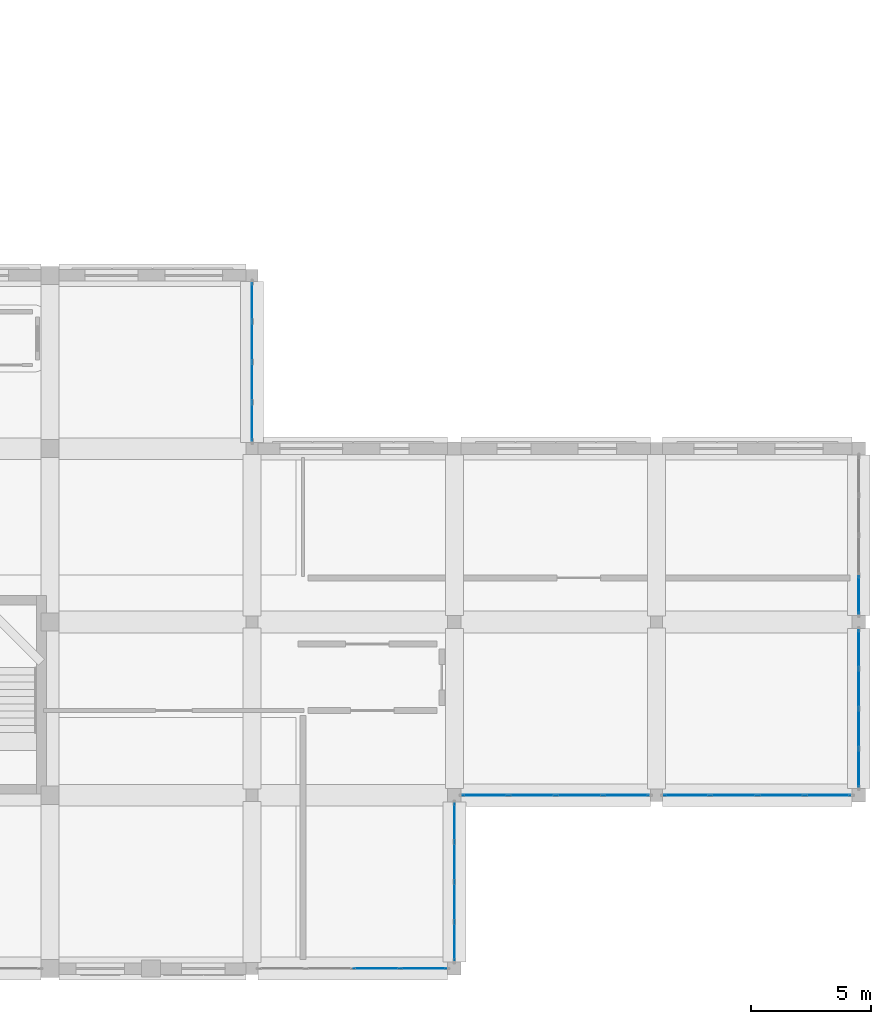
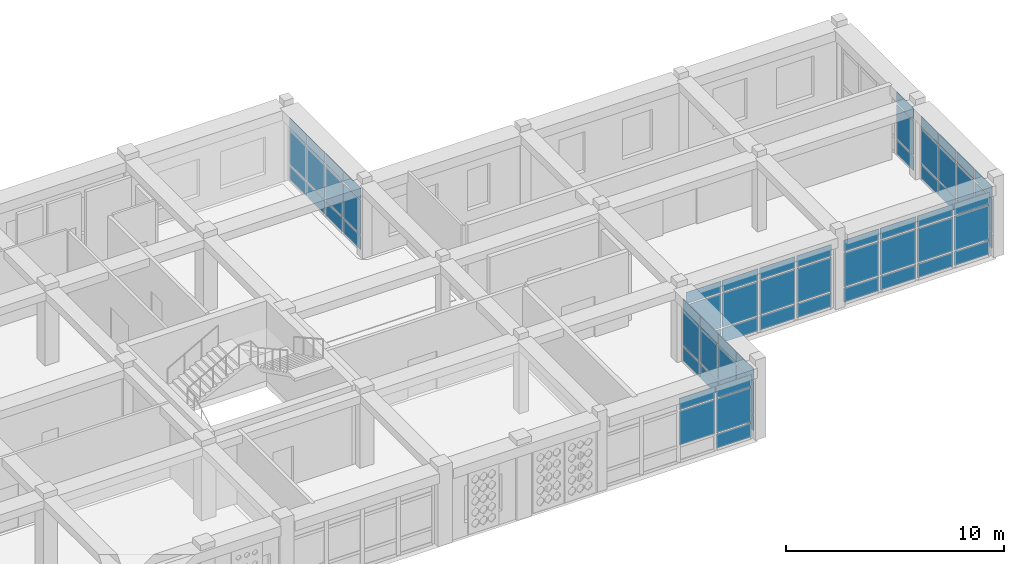
# One storey, part 69 of 121: 68 plates, 7 elements without a shape of their own.
"""IFC4 building model written with IfcOpenShell, lengths in metres."""

from ifc_helpers import new_model, si_unit, derived_unit, direction, frame, origin, origin_2d, place, context, subcontext, project, spatial, rectangle, extrude, material, layer, layer_set, type_object, element, aggregate, save


model = new_model("IFC4")

# Units and contexts
model_context = context("Model", 3, precision=1e-05, world=origin(), true_north=direction((0.0, 1.0)))
body_context = subcontext(model_context, "Body", "Model", "MODEL_VIEW")
ifc_project = project(units=[si_unit("LENGTHUNIT", "METRE"), si_unit("AREAUNIT", "SQUARE_METRE"), si_unit("VOLUMEUNIT", "CUBIC_METRE"), si_unit("PLANEANGLEUNIT", "RADIAN"), si_unit("MASSUNIT", "GRAM", prefix="KILO"), derived_unit("THERMALTRANSMITTANCEUNIT", [(si_unit("POWERUNIT", "WATT"), 1), (si_unit("LENGTHUNIT", "METRE"), -2), (si_unit("THERMODYNAMICTEMPERATUREUNIT", "KELVIN"), -1)])], contexts=[model_context])

# Site, building, storey
site_placement = place(None, origin())
site = spatial("IfcSite", under=ifc_project, at=site_placement, CompositionType="ELEMENT")
building_placement = place(site_placement, origin())
building = spatial("IfcBuilding", under=site, at=building_placement, Name="Veybourne Emporium", CompositionType="ELEMENT")
storey_placement = place(building_placement, frame((0.0, 0.0, 5.39990234375)))
storey = spatial("IfcBuildingStorey", under=building, at=storey_placement, Name="L01", CompositionType="ELEMENT", Elevation=5.39990234375)

# Curtain wall, plates
ifc_material_1 = material(Name="Patinated Architectural Bronze", Category="bronze")
curtain_wall_type_1 = type_object("IfcCurtainWallType", Name="CWSystem_CWS-27", PredefinedType="NOTDEFINED", material=ifc_material_1)
curtain_wall_1_placement = place(storey_placement, origin())
curtain_wall_1 = element("IfcCurtainWall", 1, at=curtain_wall_1_placement, inside=storey, type_object=curtain_wall_type_1, Name="L01 bronze glazed curtain wall CWS-27 (070)", PredefinedType="NOTDEFINED")
ifc_material_2 = material(Name="Low-E Triple Glazing", Category="glass")
ifc_layer = layer(ifc_material_2, 0.028076171875)
ifc_layer_set = layer_set([ifc_layer], Name="Low-E Triple Glazing")
plate_type = type_object("IfcPlateType", Name="CWPanel_CW-P1", PredefinedType="CURTAIN_PANEL", material=ifc_layer_set)
plate_1_placement = place(storey_placement, frame((142.800048828125, 27.693115234375, 0.078125), z_axis=(0.0, 0.0, 1.0), x_axis=(0.0, -1.0, 0.0)))
plate_1 = element("IfcPlate", 2, at=plate_1_placement, type_object=plate_type, Name="CWS-27 panel 1.1", PredefinedType="CURTAIN_PANEL", context=body_context, shape_type="SweptSolid", body=[
    extrude(rectangle(XDim=1.55810546875, YDim=0.028076171875, at=origin_2d()), origin(), (0.0, 0.0, 1.0), 0.782958984375),
])
plate_2_placement = place(storey_placement, frame((142.800048828125, 27.693115234375, 0.93896484375), z_axis=(0.0, 0.0, 1.0), x_axis=(0.0, -1.0, 0.0)))
plate_2 = element("IfcPlate", 3, at=plate_2_placement, type_object=plate_type, Name="CWS-27 panel 1.2", PredefinedType="CURTAIN_PANEL", context=body_context, shape_type="SweptSolid", body=[
    extrude(rectangle(XDim=1.55810546875, YDim=0.028076171875, at=origin_2d()), origin(), (0.0, 0.0, 1.0), 1.902099609375),
])
plate_3_placement = place(storey_placement, frame((142.800048828125, 27.693115234375, 2.9189453125), z_axis=(0.0, 0.0, 1.0), x_axis=(0.0, -1.0, 0.0)))
plate_3 = element("IfcPlate", 4, at=plate_3_placement, type_object=plate_type, Name="CWS-27 panel 1.3", PredefinedType="CURTAIN_PANEL", context=body_context, shape_type="SweptSolid", body=[
    extrude(rectangle(XDim=1.55810546875, YDim=0.028076171875, at=origin_2d()), origin(), (0.0, 0.0, 1.0), 0.633056640625),
])
plate_4_placement = place(storey_placement, frame((142.800048828125, 26.03759765625, 0.078125), z_axis=(0.0, 0.0, 1.0), x_axis=(0.0, -1.0, 0.0)))
plate_4 = element("IfcPlate", 5, at=plate_4_placement, type_object=plate_type, Name="CWS-27 panel 2.1", PredefinedType="CURTAIN_PANEL", context=body_context, shape_type="SweptSolid", body=[
    extrude(rectangle(XDim=1.596923828125, YDim=0.028076171875, at=origin_2d()), origin(), (0.0, 0.0, 1.0), 0.782958984375),
])
plate_5_placement = place(storey_placement, frame((142.800048828125, 26.03759765625, 0.93896484375), z_axis=(0.0, 0.0, 1.0), x_axis=(0.0, -1.0, 0.0)))
plate_5 = element("IfcPlate", 6, at=plate_5_placement, type_object=plate_type, Name="CWS-27 panel 2.2", PredefinedType="CURTAIN_PANEL", context=body_context, shape_type="SweptSolid", body=[
    extrude(rectangle(XDim=1.596923828125, YDim=0.028076171875, at=origin_2d()), origin(), (0.0, 0.0, 1.0), 1.902099609375),
])
plate_6_placement = place(storey_placement, frame((142.800048828125, 26.03759765625, 2.9189453125), z_axis=(0.0, 0.0, 1.0), x_axis=(0.0, -1.0, 0.0)))
plate_6 = element("IfcPlate", 7, at=plate_6_placement, type_object=plate_type, Name="CWS-27 panel 2.3", PredefinedType="CURTAIN_PANEL", context=body_context, shape_type="SweptSolid", body=[
    extrude(rectangle(XDim=1.596923828125, YDim=0.028076171875, at=origin_2d()), origin(), (0.0, 0.0, 1.0), 0.633056640625),
])
plate_7_placement = place(storey_placement, frame((142.800048828125, 24.362548828125, 0.078125), z_axis=(0.0, 0.0, 1.0), x_axis=(0.0, -1.0, 0.0)))
plate_7 = element("IfcPlate", 8, at=plate_7_placement, type_object=plate_type, Name="CWS-27 panel 3.1", PredefinedType="CURTAIN_PANEL", context=body_context, shape_type="SweptSolid", body=[
    extrude(rectangle(XDim=1.596923828125, YDim=0.028076171875, at=origin_2d()), origin(), (0.0, 0.0, 1.0), 0.782958984375),
])
plate_8_placement = place(storey_placement, frame((142.800048828125, 24.362548828125, 0.93896484375), z_axis=(0.0, 0.0, 1.0), x_axis=(0.0, -1.0, 0.0)))
plate_8 = element("IfcPlate", 9, at=plate_8_placement, type_object=plate_type, Name="CWS-27 panel 3.2", PredefinedType="CURTAIN_PANEL", context=body_context, shape_type="SweptSolid", body=[
    extrude(rectangle(XDim=1.596923828125, YDim=0.028076171875, at=origin_2d()), origin(), (0.0, 0.0, 1.0), 1.902099609375),
])
plate_9_placement = place(storey_placement, frame((142.800048828125, 24.362548828125, 2.9189453125), z_axis=(0.0, 0.0, 1.0), x_axis=(0.0, -1.0, 0.0)))
plate_9 = element("IfcPlate", 10, at=plate_9_placement, type_object=plate_type, Name="CWS-27 panel 3.3", PredefinedType="CURTAIN_PANEL", context=body_context, shape_type="SweptSolid", body=[
    extrude(rectangle(XDim=1.596923828125, YDim=0.028076171875, at=origin_2d()), origin(), (0.0, 0.0, 1.0), 0.633056640625),
])
plate_10_placement = place(storey_placement, frame((142.800048828125, 22.70703125, 0.078125), z_axis=(0.0, 0.0, 1.0), x_axis=(0.0, -1.0, 0.0)))
plate_10 = element("IfcPlate", 11, at=plate_10_placement, type_object=plate_type, Name="CWS-27 panel 4.1", PredefinedType="CURTAIN_PANEL", context=body_context, shape_type="SweptSolid", body=[
    extrude(rectangle(XDim=1.55810546875, YDim=0.028076171875, at=origin_2d()), origin(), (0.0, 0.0, 1.0), 0.782958984375),
])
plate_11_placement = place(storey_placement, frame((142.800048828125, 22.70703125, 0.93896484375), z_axis=(0.0, 0.0, 1.0), x_axis=(0.0, -1.0, 0.0)))
plate_11 = element("IfcPlate", 12, at=plate_11_placement, type_object=plate_type, Name="CWS-27 panel 4.2", PredefinedType="CURTAIN_PANEL", context=body_context, shape_type="SweptSolid", body=[
    extrude(rectangle(XDim=1.55810546875, YDim=0.028076171875, at=origin_2d()), origin(), (0.0, 0.0, 1.0), 1.902099609375),
])
plate_12_placement = place(storey_placement, frame((142.800048828125, 22.70703125, 2.9189453125), z_axis=(0.0, 0.0, 1.0), x_axis=(0.0, -1.0, 0.0)))
plate_12 = element("IfcPlate", 13, at=plate_12_placement, type_object=plate_type, Name="CWS-27 panel 4.3", PredefinedType="CURTAIN_PANEL", context=body_context, shape_type="SweptSolid", body=[
    extrude(rectangle(XDim=1.55810546875, YDim=0.028076171875, at=origin_2d()), origin(), (0.0, 0.0, 1.0), 0.633056640625),
])
aggregate(curtain_wall_1, [plate_1, plate_2, plate_3, plate_4, plate_5, plate_6, plate_7, plate_8, plate_9, plate_10, plate_11, plate_12])

curtain_wall_type_2 = type_object("IfcCurtainWallType", Name="CWSystem_CWS-28", PredefinedType="NOTDEFINED", material=ifc_material_1)
curtain_wall_2_placement = place(storey_placement, origin())
curtain_wall_2 = element("IfcCurtainWall", 14, at=curtain_wall_2_placement, inside=storey, type_object=curtain_wall_type_2, Name="L01 bronze glazed curtain wall CWS-28 (072)", PredefinedType="NOTDEFINED")
plate_13_placement = place(storey_placement, frame((149.923095703125, 0.0, 0.070068359375), z_axis=(0.0, 0.0, 1.0), x_axis=(-1.0, 0.0, 0.0)))
plate_13 = element("IfcPlate", 15, at=plate_13_placement, type_object=plate_type, Name="CWS-28 panel 1.1", PredefinedType="CURTAIN_PANEL", context=body_context, shape_type="SweptSolid", body=[
    extrude(rectangle(XDim=1.86376953125, YDim=0.028076171875, at=origin_2d()), origin(), (0.0, 0.0, 1.0), 0.794921875),
])
plate_14_placement = place(storey_placement, frame((149.923095703125, 0.0, 0.93505859375), z_axis=(0.0, 0.0, 1.0), x_axis=(-1.0, 0.0, 0.0)))
plate_14 = element("IfcPlate", 16, at=plate_14_placement, type_object=plate_type, Name="CWS-28 panel 1.2", PredefinedType="CURTAIN_PANEL", context=body_context, shape_type="SweptSolid", body=[
    extrude(rectangle(XDim=1.86376953125, YDim=0.028076171875, at=origin_2d()), origin(), (0.0, 0.0, 1.0), 1.909912109375),
])
plate_15_placement = place(storey_placement, frame((149.923095703125, 0.0, 2.9150390625), z_axis=(0.0, 0.0, 1.0), x_axis=(-1.0, 0.0, 0.0)))
plate_15 = element("IfcPlate", 17, at=plate_15_placement, type_object=plate_type, Name="CWS-28 panel 1.3", PredefinedType="CURTAIN_PANEL", context=body_context, shape_type="SweptSolid", body=[
    extrude(rectangle(XDim=1.86376953125, YDim=0.028076171875, at=origin_2d()), origin(), (0.0, 0.0, 1.0), 0.64501953125),
])
plate_16_placement = place(storey_placement, frame((147.971923828125, 0.0, 0.93505859375), z_axis=(0.0, 0.0, 1.0), x_axis=(-1.0, 0.0, 0.0)))
plate_16 = element("IfcPlate", 18, at=plate_16_placement, type_object=plate_type, Name="CWS-28 panel 2.2", PredefinedType="CURTAIN_PANEL", context=body_context, shape_type="SweptSolid", body=[
    extrude(rectangle(XDim=1.898681640625, YDim=0.028076171875, at=origin_2d()), origin(), (0.0, 0.0, 1.0), 1.909912109375),
])
plate_17_placement = place(storey_placement, frame((147.971923828125, 0.0, 2.9150390625), z_axis=(0.0, 0.0, 1.0), x_axis=(-1.0, 0.0, 0.0)))
plate_17 = element("IfcPlate", 19, at=plate_17_placement, type_object=plate_type, Name="CWS-28 panel 2.3", PredefinedType="CURTAIN_PANEL", context=body_context, shape_type="SweptSolid", body=[
    extrude(rectangle(XDim=1.898681640625, YDim=0.028076171875, at=origin_2d()), origin(), (0.0, 0.0, 1.0), 0.64501953125),
])
aggregate(curtain_wall_2, [plate_13, plate_14, plate_15, plate_16, plate_17])

curtain_wall_type_3 = type_object("IfcCurtainWallType", Name="CWSystem_CWS-01", PredefinedType="NOTDEFINED", material=ifc_material_1)
curtain_wall_3_placement = place(storey_placement, origin())
curtain_wall_3 = element("IfcCurtainWall", 20, at=curtain_wall_3_placement, inside=storey, type_object=curtain_wall_type_3, Name="L01 bronze glazed curtain wall CWS-01 (073)", PredefinedType="NOTDEFINED")
plate_18_placement = place(storey_placement, frame((151.199951171875, 6.07568359375, 0.072021484375), z_axis=(0.0, 0.0, 1.0), x_axis=(0.0, -1.0, 0.0)))
plate_18 = element("IfcPlate", 21, at=plate_18_placement, type_object=plate_type, Name="CWS-01 panel 1.1", PredefinedType="CURTAIN_PANEL", context=body_context, shape_type="SweptSolid", body=[
    extrude(rectangle(XDim=1.554443359375, YDim=0.028076171875, at=origin_2d()), origin(), (0.0, 0.0, 1.0), 0.7919921875),
])
plate_19_placement = place(storey_placement, frame((151.199951171875, 6.07568359375, 0.93603515625), z_axis=(0.0, 0.0, 1.0), x_axis=(0.0, -1.0, 0.0)))
plate_19 = element("IfcPlate", 22, at=plate_19_placement, type_object=plate_type, Name="CWS-01 panel 1.2", PredefinedType="CURTAIN_PANEL", context=body_context, shape_type="SweptSolid", body=[
    extrude(rectangle(XDim=1.554443359375, YDim=0.028076171875, at=origin_2d()), origin(), (0.0, 0.0, 1.0), 1.907958984375),
])
plate_20_placement = place(storey_placement, frame((151.199951171875, 6.07568359375, 2.916015625), z_axis=(0.0, 0.0, 1.0), x_axis=(0.0, -1.0, 0.0)))
plate_20 = element("IfcPlate", 23, at=plate_20_placement, type_object=plate_type, Name="CWS-01 panel 1.3", PredefinedType="CURTAIN_PANEL", context=body_context, shape_type="SweptSolid", body=[
    extrude(rectangle(XDim=1.554443359375, YDim=0.028076171875, at=origin_2d()), origin(), (0.0, 0.0, 1.0), 0.64208984375),
])
plate_21_placement = place(storey_placement, frame((151.199951171875, 4.43115234375, 0.072021484375), z_axis=(0.0, 0.0, 1.0), x_axis=(0.0, -1.0, 0.0)))
plate_21 = element("IfcPlate", 24, at=plate_21_placement, type_object=plate_type, Name="CWS-01 panel 2.1", PredefinedType="CURTAIN_PANEL", context=body_context, shape_type="SweptSolid", body=[
    extrude(rectangle(XDim=1.590576171875, YDim=0.028076171875, at=origin_2d()), origin(), (0.0, 0.0, 1.0), 0.7919921875),
])
plate_22_placement = place(storey_placement, frame((151.199951171875, 4.43115234375, 0.93603515625), z_axis=(0.0, 0.0, 1.0), x_axis=(0.0, -1.0, 0.0)))
plate_22 = element("IfcPlate", 25, at=plate_22_placement, type_object=plate_type, Name="CWS-01 panel 2.2", PredefinedType="CURTAIN_PANEL", context=body_context, shape_type="SweptSolid", body=[
    extrude(rectangle(XDim=1.590576171875, YDim=0.028076171875, at=origin_2d()), origin(), (0.0, 0.0, 1.0), 1.907958984375),
])
plate_23_placement = place(storey_placement, frame((151.199951171875, 4.43115234375, 2.916015625), z_axis=(0.0, 0.0, 1.0), x_axis=(0.0, -1.0, 0.0)))
plate_23 = element("IfcPlate", 26, at=plate_23_placement, type_object=plate_type, Name="CWS-01 panel 2.3", PredefinedType="CURTAIN_PANEL", context=body_context, shape_type="SweptSolid", body=[
    extrude(rectangle(XDim=1.590576171875, YDim=0.028076171875, at=origin_2d()), origin(), (0.0, 0.0, 1.0), 0.64208984375),
])
plate_24_placement = place(storey_placement, frame((151.199951171875, 2.768798828125, 0.072021484375), z_axis=(0.0, 0.0, 1.0), x_axis=(0.0, -1.0, 0.0)))
plate_24 = element("IfcPlate", 27, at=plate_24_placement, type_object=plate_type, Name="CWS-01 panel 3.1", PredefinedType="CURTAIN_PANEL", context=body_context, shape_type="SweptSolid", body=[
    extrude(rectangle(XDim=1.590576171875, YDim=0.028076171875, at=origin_2d()), origin(), (0.0, 0.0, 1.0), 0.7919921875),
])
plate_25_placement = place(storey_placement, frame((151.199951171875, 2.768798828125, 0.93603515625), z_axis=(0.0, 0.0, 1.0), x_axis=(0.0, -1.0, 0.0)))
plate_25 = element("IfcPlate", 28, at=plate_25_placement, type_object=plate_type, Name="CWS-01 panel 3.2", PredefinedType="CURTAIN_PANEL", context=body_context, shape_type="SweptSolid", body=[
    extrude(rectangle(XDim=1.590576171875, YDim=0.028076171875, at=origin_2d()), origin(), (0.0, 0.0, 1.0), 1.907958984375),
])
plate_26_placement = place(storey_placement, frame((151.199951171875, 2.768798828125, 2.916015625), z_axis=(0.0, 0.0, 1.0), x_axis=(0.0, -1.0, 0.0)))
plate_26 = element("IfcPlate", 29, at=plate_26_placement, type_object=plate_type, Name="CWS-01 panel 3.3", PredefinedType="CURTAIN_PANEL", context=body_context, shape_type="SweptSolid", body=[
    extrude(rectangle(XDim=1.590576171875, YDim=0.028076171875, at=origin_2d()), origin(), (0.0, 0.0, 1.0), 0.64208984375),
])
plate_27_placement = place(storey_placement, frame((151.199951171875, 1.124267578125, 0.072021484375), z_axis=(0.0, 0.0, 1.0), x_axis=(0.0, -1.0, 0.0)))
plate_27 = element("IfcPlate", 30, at=plate_27_placement, type_object=plate_type, Name="CWS-01 panel 4.1", PredefinedType="CURTAIN_PANEL", context=body_context, shape_type="SweptSolid", body=[
    extrude(rectangle(XDim=1.554443359375, YDim=0.028076171875, at=origin_2d()), origin(), (0.0, 0.0, 1.0), 0.7919921875),
])
plate_28_placement = place(storey_placement, frame((151.199951171875, 1.124267578125, 0.93603515625), z_axis=(0.0, 0.0, 1.0), x_axis=(0.0, -1.0, 0.0)))
plate_28 = element("IfcPlate", 31, at=plate_28_placement, type_object=plate_type, Name="CWS-01 panel 4.2", PredefinedType="CURTAIN_PANEL", context=body_context, shape_type="SweptSolid", body=[
    extrude(rectangle(XDim=1.554443359375, YDim=0.028076171875, at=origin_2d()), origin(), (0.0, 0.0, 1.0), 1.907958984375),
])
plate_29_placement = place(storey_placement, frame((151.199951171875, 1.124267578125, 2.916015625), z_axis=(0.0, 0.0, 1.0), x_axis=(0.0, -1.0, 0.0)))
plate_29 = element("IfcPlate", 32, at=plate_29_placement, type_object=plate_type, Name="CWS-01 panel 4.3", PredefinedType="CURTAIN_PANEL", context=body_context, shape_type="SweptSolid", body=[
    extrude(rectangle(XDim=1.554443359375, YDim=0.028076171875, at=origin_2d()), origin(), (0.0, 0.0, 1.0), 0.64208984375),
])
aggregate(curtain_wall_3, [plate_18, plate_19, plate_20, plate_21, plate_22, plate_23, plate_24, plate_25, plate_26, plate_27, plate_28, plate_29])

curtain_wall_type_4 = type_object("IfcCurtainWallType", Name="CWSystem_CWS-02", PredefinedType="NOTDEFINED", material=ifc_material_1)
curtain_wall_4_placement = place(storey_placement, origin())
curtain_wall_4 = element("IfcCurtainWall", 33, at=curtain_wall_4_placement, inside=storey, type_object=curtain_wall_type_4, Name="L01 bronze glazed curtain wall CWS-02 (075)", PredefinedType="NOTDEFINED")
plate_30_placement = place(storey_placement, frame((158.346923828125, 7.199951171875, 0.074951171875), z_axis=(0.0, 0.0, 1.0), x_axis=(-1.0, 0.0, 0.0)))
plate_30 = element("IfcPlate", 34, at=plate_30_placement, type_object=plate_type, Name="CWS-02 panel 1.1", PredefinedType="CURTAIN_PANEL", context=body_context, shape_type="SweptSolid", body=[
    extrude(rectangle(XDim=1.856201171875, YDim=0.028076171875, at=origin_2d()), origin(), (0.0, 0.0, 1.0), 0.78759765625),
])
plate_31_placement = place(storey_placement, frame((158.346923828125, 7.199951171875, 0.9375), z_axis=(0.0, 0.0, 1.0), x_axis=(-1.0, 0.0, 0.0)))
plate_31 = element("IfcPlate", 35, at=plate_31_placement, type_object=plate_type, Name="CWS-02 panel 1.2", PredefinedType="CURTAIN_PANEL", context=body_context, shape_type="SweptSolid", body=[
    extrude(rectangle(XDim=1.856201171875, YDim=0.028076171875, at=origin_2d()), origin(), (0.0, 0.0, 1.0), 1.905029296875),
])
plate_32_placement = place(storey_placement, frame((158.346923828125, 7.199951171875, 2.91748046875), z_axis=(0.0, 0.0, 1.0), x_axis=(-1.0, 0.0, 0.0)))
plate_32 = element("IfcPlate", 36, at=plate_32_placement, type_object=plate_type, Name="CWS-02 panel 1.3", PredefinedType="CURTAIN_PANEL", context=body_context, shape_type="SweptSolid", body=[
    extrude(rectangle(XDim=1.856201171875, YDim=0.028076171875, at=origin_2d()), origin(), (0.0, 0.0, 1.0), 0.637451171875),
])
plate_33_placement = place(storey_placement, frame((156.39697265625, 7.199951171875, 0.074951171875), z_axis=(0.0, 0.0, 1.0), x_axis=(-1.0, 0.0, 0.0)))
plate_33 = element("IfcPlate", 37, at=plate_33_placement, type_object=plate_type, Name="CWS-02 panel 2.1", PredefinedType="CURTAIN_PANEL", context=body_context, shape_type="SweptSolid", body=[
    extrude(rectangle(XDim=1.893798828125, YDim=0.028076171875, at=origin_2d()), origin(), (0.0, 0.0, 1.0), 0.78759765625),
])
plate_34_placement = place(storey_placement, frame((156.39697265625, 7.199951171875, 0.9375), z_axis=(0.0, 0.0, 1.0), x_axis=(-1.0, 0.0, 0.0)))
plate_34 = element("IfcPlate", 38, at=plate_34_placement, type_object=plate_type, Name="CWS-02 panel 2.2", PredefinedType="CURTAIN_PANEL", context=body_context, shape_type="SweptSolid", body=[
    extrude(rectangle(XDim=1.893798828125, YDim=0.028076171875, at=origin_2d()), origin(), (0.0, 0.0, 1.0), 1.905029296875),
])
plate_35_placement = place(storey_placement, frame((156.39697265625, 7.199951171875, 2.91748046875), z_axis=(0.0, 0.0, 1.0), x_axis=(-1.0, 0.0, 0.0)))
plate_35 = element("IfcPlate", 39, at=plate_35_placement, type_object=plate_type, Name="CWS-02 panel 2.3", PredefinedType="CURTAIN_PANEL", context=body_context, shape_type="SweptSolid", body=[
    extrude(rectangle(XDim=1.893798828125, YDim=0.028076171875, at=origin_2d()), origin(), (0.0, 0.0, 1.0), 0.637451171875),
])
plate_36_placement = place(storey_placement, frame((154.42822265625, 7.199951171875, 0.074951171875), z_axis=(0.0, 0.0, 1.0), x_axis=(-1.0, 0.0, 0.0)))
plate_36 = element("IfcPlate", 40, at=plate_36_placement, type_object=plate_type, Name="CWS-02 panel 3.1", PredefinedType="CURTAIN_PANEL", context=body_context, shape_type="SweptSolid", body=[
    extrude(rectangle(XDim=1.893798828125, YDim=0.028076171875, at=origin_2d()), origin(), (0.0, 0.0, 1.0), 0.78759765625),
])
plate_37_placement = place(storey_placement, frame((154.42822265625, 7.199951171875, 0.9375), z_axis=(0.0, 0.0, 1.0), x_axis=(-1.0, 0.0, 0.0)))
plate_37 = element("IfcPlate", 41, at=plate_37_placement, type_object=plate_type, Name="CWS-02 panel 3.2", PredefinedType="CURTAIN_PANEL", context=body_context, shape_type="SweptSolid", body=[
    extrude(rectangle(XDim=1.893798828125, YDim=0.028076171875, at=origin_2d()), origin(), (0.0, 0.0, 1.0), 1.905029296875),
])
plate_38_placement = place(storey_placement, frame((154.42822265625, 7.199951171875, 2.91748046875), z_axis=(0.0, 0.0, 1.0), x_axis=(-1.0, 0.0, 0.0)))
plate_38 = element("IfcPlate", 42, at=plate_38_placement, type_object=plate_type, Name="CWS-02 panel 3.3", PredefinedType="CURTAIN_PANEL", context=body_context, shape_type="SweptSolid", body=[
    extrude(rectangle(XDim=1.893798828125, YDim=0.028076171875, at=origin_2d()), origin(), (0.0, 0.0, 1.0), 0.637451171875),
])
plate_39_placement = place(storey_placement, frame((152.47802734375, 7.199951171875, 0.074951171875), z_axis=(0.0, 0.0, 1.0), x_axis=(-1.0, 0.0, 0.0)))
plate_39 = element("IfcPlate", 43, at=plate_39_placement, type_object=plate_type, Name="CWS-02 panel 4.1", PredefinedType="CURTAIN_PANEL", context=body_context, shape_type="SweptSolid", body=[
    extrude(rectangle(XDim=1.856201171875, YDim=0.028076171875, at=origin_2d()), origin(), (0.0, 0.0, 1.0), 0.78759765625),
])
plate_40_placement = place(storey_placement, frame((152.47802734375, 7.199951171875, 0.9375), z_axis=(0.0, 0.0, 1.0), x_axis=(-1.0, 0.0, 0.0)))
plate_40 = element("IfcPlate", 44, at=plate_40_placement, type_object=plate_type, Name="CWS-02 panel 4.2", PredefinedType="CURTAIN_PANEL", context=body_context, shape_type="SweptSolid", body=[
    extrude(rectangle(XDim=1.856201171875, YDim=0.028076171875, at=origin_2d()), origin(), (0.0, 0.0, 1.0), 1.905029296875),
])
plate_41_placement = place(storey_placement, frame((152.47802734375, 7.199951171875, 2.91748046875), z_axis=(0.0, 0.0, 1.0), x_axis=(-1.0, 0.0, 0.0)))
plate_41 = element("IfcPlate", 45, at=plate_41_placement, type_object=plate_type, Name="CWS-02 panel 4.3", PredefinedType="CURTAIN_PANEL", context=body_context, shape_type="SweptSolid", body=[
    extrude(rectangle(XDim=1.856201171875, YDim=0.028076171875, at=origin_2d()), origin(), (0.0, 0.0, 1.0), 0.637451171875),
])
aggregate(curtain_wall_4, [plate_30, plate_31, plate_32, plate_33, plate_34, plate_35, plate_36, plate_37, plate_38, plate_39, plate_40, plate_41])

curtain_wall_type_5 = type_object("IfcCurtainWallType", Name="CWSystem_CWS-03", PredefinedType="NOTDEFINED", material=ifc_material_1)
curtain_wall_5_placement = place(storey_placement, origin())
curtain_wall_5 = element("IfcCurtainWall", 46, at=curtain_wall_5_placement, inside=storey, type_object=curtain_wall_type_5, Name="L01 bronze glazed curtain wall CWS-03 (077)", PredefinedType="NOTDEFINED")
plate_42_placement = place(storey_placement, frame((166.72119140625, 7.199951171875, 0.078125), z_axis=(0.0, 0.0, 1.0), x_axis=(-1.0, 0.0, 0.0)))
plate_42 = element("IfcPlate", 47, at=plate_42_placement, type_object=plate_type, Name="CWS-03 panel 1.1", PredefinedType="CURTAIN_PANEL", context=body_context, shape_type="SweptSolid", body=[
    extrude(rectangle(XDim=1.851806640625, YDim=0.028076171875, at=origin_2d()), origin(), (0.0, 0.0, 1.0), 0.782958984375),
])
plate_43_placement = place(storey_placement, frame((166.72119140625, 7.199951171875, 0.93896484375), z_axis=(0.0, 0.0, 1.0), x_axis=(-1.0, 0.0, 0.0)))
plate_43 = element("IfcPlate", 48, at=plate_43_placement, type_object=plate_type, Name="CWS-03 panel 1.2", PredefinedType="CURTAIN_PANEL", context=body_context, shape_type="SweptSolid", body=[
    extrude(rectangle(XDim=1.851806640625, YDim=0.028076171875, at=origin_2d()), origin(), (0.0, 0.0, 1.0), 1.902099609375),
])
plate_44_placement = place(storey_placement, frame((166.72119140625, 7.199951171875, 2.9189453125), z_axis=(0.0, 0.0, 1.0), x_axis=(-1.0, 0.0, 0.0)))
plate_44 = element("IfcPlate", 49, at=plate_44_placement, type_object=plate_type, Name="CWS-03 panel 1.3", PredefinedType="CURTAIN_PANEL", context=body_context, shape_type="SweptSolid", body=[
    extrude(rectangle(XDim=1.851806640625, YDim=0.028076171875, at=origin_2d()), origin(), (0.0, 0.0, 1.0), 0.633056640625),
])
plate_45_placement = place(storey_placement, frame((164.77197265625, 7.199951171875, 0.078125), z_axis=(0.0, 0.0, 1.0), x_axis=(-1.0, 0.0, 0.0)))
plate_45 = element("IfcPlate", 50, at=plate_45_placement, type_object=plate_type, Name="CWS-03 panel 2.1", PredefinedType="CURTAIN_PANEL", context=body_context, shape_type="SweptSolid", body=[
    extrude(rectangle(XDim=1.890869140625, YDim=0.028076171875, at=origin_2d()), origin(), (0.0, 0.0, 1.0), 0.782958984375),
])
plate_46_placement = place(storey_placement, frame((164.77197265625, 7.199951171875, 0.93896484375), z_axis=(0.0, 0.0, 1.0), x_axis=(-1.0, 0.0, 0.0)))
plate_46 = element("IfcPlate", 51, at=plate_46_placement, type_object=plate_type, Name="CWS-03 panel 2.2", PredefinedType="CURTAIN_PANEL", context=body_context, shape_type="SweptSolid", body=[
    extrude(rectangle(XDim=1.890869140625, YDim=0.028076171875, at=origin_2d()), origin(), (0.0, 0.0, 1.0), 1.902099609375),
])
plate_47_placement = place(storey_placement, frame((164.77197265625, 7.199951171875, 2.9189453125), z_axis=(0.0, 0.0, 1.0), x_axis=(-1.0, 0.0, 0.0)))
plate_47 = element("IfcPlate", 52, at=plate_47_placement, type_object=plate_type, Name="CWS-03 panel 2.3", PredefinedType="CURTAIN_PANEL", context=body_context, shape_type="SweptSolid", body=[
    extrude(rectangle(XDim=1.890869140625, YDim=0.028076171875, at=origin_2d()), origin(), (0.0, 0.0, 1.0), 0.633056640625),
])
plate_48_placement = place(storey_placement, frame((162.80322265625, 7.199951171875, 0.078125), z_axis=(0.0, 0.0, 1.0), x_axis=(-1.0, 0.0, 0.0)))
plate_48 = element("IfcPlate", 53, at=plate_48_placement, type_object=plate_type, Name="CWS-03 panel 3.1", PredefinedType="CURTAIN_PANEL", context=body_context, shape_type="SweptSolid", body=[
    extrude(rectangle(XDim=1.890869140625, YDim=0.028076171875, at=origin_2d()), origin(), (0.0, 0.0, 1.0), 0.782958984375),
])
plate_49_placement = place(storey_placement, frame((162.80322265625, 7.199951171875, 0.93896484375), z_axis=(0.0, 0.0, 1.0), x_axis=(-1.0, 0.0, 0.0)))
plate_49 = element("IfcPlate", 54, at=plate_49_placement, type_object=plate_type, Name="CWS-03 panel 3.2", PredefinedType="CURTAIN_PANEL", context=body_context, shape_type="SweptSolid", body=[
    extrude(rectangle(XDim=1.890869140625, YDim=0.028076171875, at=origin_2d()), origin(), (0.0, 0.0, 1.0), 1.902099609375),
])
plate_50_placement = place(storey_placement, frame((162.80322265625, 7.199951171875, 2.9189453125), z_axis=(0.0, 0.0, 1.0), x_axis=(-1.0, 0.0, 0.0)))
plate_50 = element("IfcPlate", 55, at=plate_50_placement, type_object=plate_type, Name="CWS-03 panel 3.3", PredefinedType="CURTAIN_PANEL", context=body_context, shape_type="SweptSolid", body=[
    extrude(rectangle(XDim=1.890869140625, YDim=0.028076171875, at=origin_2d()), origin(), (0.0, 0.0, 1.0), 0.633056640625),
])
plate_51_placement = place(storey_placement, frame((160.853759765625, 7.199951171875, 0.078125), z_axis=(0.0, 0.0, 1.0), x_axis=(-1.0, 0.0, 0.0)))
plate_51 = element("IfcPlate", 56, at=plate_51_placement, type_object=plate_type, Name="CWS-03 panel 4.1", PredefinedType="CURTAIN_PANEL", context=body_context, shape_type="SweptSolid", body=[
    extrude(rectangle(XDim=1.851806640625, YDim=0.028076171875, at=origin_2d()), origin(), (0.0, 0.0, 1.0), 0.782958984375),
])
plate_52_placement = place(storey_placement, frame((160.853759765625, 7.199951171875, 0.93896484375), z_axis=(0.0, 0.0, 1.0), x_axis=(-1.0, 0.0, 0.0)))
plate_52 = element("IfcPlate", 57, at=plate_52_placement, type_object=plate_type, Name="CWS-03 panel 4.2", PredefinedType="CURTAIN_PANEL", context=body_context, shape_type="SweptSolid", body=[
    extrude(rectangle(XDim=1.851806640625, YDim=0.028076171875, at=origin_2d()), origin(), (0.0, 0.0, 1.0), 1.902099609375),
])
plate_53_placement = place(storey_placement, frame((160.853759765625, 7.199951171875, 2.9189453125), z_axis=(0.0, 0.0, 1.0), x_axis=(-1.0, 0.0, 0.0)))
plate_53 = element("IfcPlate", 58, at=plate_53_placement, type_object=plate_type, Name="CWS-03 panel 4.3", PredefinedType="CURTAIN_PANEL", context=body_context, shape_type="SweptSolid", body=[
    extrude(rectangle(XDim=1.851806640625, YDim=0.028076171875, at=origin_2d()), origin(), (0.0, 0.0, 1.0), 0.633056640625),
])
aggregate(curtain_wall_5, [plate_42, plate_43, plate_44, plate_45, plate_46, plate_47, plate_48, plate_49, plate_50, plate_51, plate_52, plate_53])

curtain_wall_type_6 = type_object("IfcCurtainWallType", Name="CWSystem_CWS-04", PredefinedType="NOTDEFINED", material=ifc_material_1)
curtain_wall_6_placement = place(storey_placement, origin())
curtain_wall_6 = element("IfcCurtainWall", 59, at=curtain_wall_6_placement, inside=storey, type_object=curtain_wall_type_6, Name="L01 bronze glazed curtain wall CWS-04 (078)", PredefinedType="NOTDEFINED")
plate_54_placement = place(storey_placement, frame((168.0, 13.2763671875, 0.070068359375), z_axis=(0.0, 0.0, 1.0), x_axis=(0.0, -1.0, 0.0)))
plate_54 = element("IfcPlate", 60, at=plate_54_placement, type_object=plate_type, Name="CWS-04 panel 1.1", PredefinedType="CURTAIN_PANEL", context=body_context, shape_type="SweptSolid", body=[
    extrude(rectangle(XDim=1.5576171875, YDim=0.028076171875, at=origin_2d()), origin(), (0.0, 0.0, 1.0), 0.794921875),
])
plate_55_placement = place(storey_placement, frame((168.0, 13.2763671875, 0.93505859375), z_axis=(0.0, 0.0, 1.0), x_axis=(0.0, -1.0, 0.0)))
plate_55 = element("IfcPlate", 61, at=plate_55_placement, type_object=plate_type, Name="CWS-04 panel 1.2", PredefinedType="CURTAIN_PANEL", context=body_context, shape_type="SweptSolid", body=[
    extrude(rectangle(XDim=1.5576171875, YDim=0.028076171875, at=origin_2d()), origin(), (0.0, 0.0, 1.0), 1.909912109375),
])
plate_56_placement = place(storey_placement, frame((168.0, 13.2763671875, 2.9150390625), z_axis=(0.0, 0.0, 1.0), x_axis=(0.0, -1.0, 0.0)))
plate_56 = element("IfcPlate", 62, at=plate_56_placement, type_object=plate_type, Name="CWS-04 panel 1.3", PredefinedType="CURTAIN_PANEL", context=body_context, shape_type="SweptSolid", body=[
    extrude(rectangle(XDim=1.5576171875, YDim=0.028076171875, at=origin_2d()), origin(), (0.0, 0.0, 1.0), 0.64501953125),
])
plate_57_placement = place(storey_placement, frame((168.0, 11.63134765625, 0.070068359375), z_axis=(0.0, 0.0, 1.0), x_axis=(0.0, -1.0, 0.0)))
plate_57 = element("IfcPlate", 63, at=plate_57_placement, type_object=plate_type, Name="CWS-04 panel 2.1", PredefinedType="CURTAIN_PANEL", context=body_context, shape_type="SweptSolid", body=[
    extrude(rectangle(XDim=1.592529296875, YDim=0.028076171875, at=origin_2d()), origin(), (0.0, 0.0, 1.0), 0.794921875),
])
plate_58_placement = place(storey_placement, frame((168.0, 11.63134765625, 0.93505859375), z_axis=(0.0, 0.0, 1.0), x_axis=(0.0, -1.0, 0.0)))
plate_58 = element("IfcPlate", 64, at=plate_58_placement, type_object=plate_type, Name="CWS-04 panel 2.2", PredefinedType="CURTAIN_PANEL", context=body_context, shape_type="SweptSolid", body=[
    extrude(rectangle(XDim=1.592529296875, YDim=0.028076171875, at=origin_2d()), origin(), (0.0, 0.0, 1.0), 1.909912109375),
])
plate_59_placement = place(storey_placement, frame((168.0, 11.63134765625, 2.9150390625), z_axis=(0.0, 0.0, 1.0), x_axis=(0.0, -1.0, 0.0)))
plate_59 = element("IfcPlate", 65, at=plate_59_placement, type_object=plate_type, Name="CWS-04 panel 2.3", PredefinedType="CURTAIN_PANEL", context=body_context, shape_type="SweptSolid", body=[
    extrude(rectangle(XDim=1.592529296875, YDim=0.028076171875, at=origin_2d()), origin(), (0.0, 0.0, 1.0), 0.64501953125),
])
plate_60_placement = place(storey_placement, frame((168.0, 9.96875, 0.070068359375), z_axis=(0.0, 0.0, 1.0), x_axis=(0.0, -1.0, 0.0)))
plate_60 = element("IfcPlate", 66, at=plate_60_placement, type_object=plate_type, Name="CWS-04 panel 3.1", PredefinedType="CURTAIN_PANEL", context=body_context, shape_type="SweptSolid", body=[
    extrude(rectangle(XDim=1.592529296875, YDim=0.028076171875, at=origin_2d()), origin(), (0.0, 0.0, 1.0), 0.794921875),
])
plate_61_placement = place(storey_placement, frame((168.0, 9.96875, 0.93505859375), z_axis=(0.0, 0.0, 1.0), x_axis=(0.0, -1.0, 0.0)))
plate_61 = element("IfcPlate", 67, at=plate_61_placement, type_object=plate_type, Name="CWS-04 panel 3.2", PredefinedType="CURTAIN_PANEL", context=body_context, shape_type="SweptSolid", body=[
    extrude(rectangle(XDim=1.592529296875, YDim=0.028076171875, at=origin_2d()), origin(), (0.0, 0.0, 1.0), 1.909912109375),
])
plate_62_placement = place(storey_placement, frame((168.0, 9.96875, 2.9150390625), z_axis=(0.0, 0.0, 1.0), x_axis=(0.0, -1.0, 0.0)))
plate_62 = element("IfcPlate", 68, at=plate_62_placement, type_object=plate_type, Name="CWS-04 panel 3.3", PredefinedType="CURTAIN_PANEL", context=body_context, shape_type="SweptSolid", body=[
    extrude(rectangle(XDim=1.592529296875, YDim=0.028076171875, at=origin_2d()), origin(), (0.0, 0.0, 1.0), 0.64501953125),
])
plate_63_placement = place(storey_placement, frame((168.0, 8.32373046875, 0.070068359375), z_axis=(0.0, 0.0, 1.0), x_axis=(0.0, -1.0, 0.0)))
plate_63 = element("IfcPlate", 69, at=plate_63_placement, type_object=plate_type, Name="CWS-04 panel 4.1", PredefinedType="CURTAIN_PANEL", context=body_context, shape_type="SweptSolid", body=[
    extrude(rectangle(XDim=1.5576171875, YDim=0.028076171875, at=origin_2d()), origin(), (0.0, 0.0, 1.0), 0.794921875),
])
plate_64_placement = place(storey_placement, frame((168.0, 8.32373046875, 0.93505859375), z_axis=(0.0, 0.0, 1.0), x_axis=(0.0, -1.0, 0.0)))
plate_64 = element("IfcPlate", 70, at=plate_64_placement, type_object=plate_type, Name="CWS-04 panel 4.2", PredefinedType="CURTAIN_PANEL", context=body_context, shape_type="SweptSolid", body=[
    extrude(rectangle(XDim=1.5576171875, YDim=0.028076171875, at=origin_2d()), origin(), (0.0, 0.0, 1.0), 1.909912109375),
])
plate_65_placement = place(storey_placement, frame((168.0, 8.32373046875, 2.9150390625), z_axis=(0.0, 0.0, 1.0), x_axis=(0.0, -1.0, 0.0)))
plate_65 = element("IfcPlate", 71, at=plate_65_placement, type_object=plate_type, Name="CWS-04 panel 4.3", PredefinedType="CURTAIN_PANEL", context=body_context, shape_type="SweptSolid", body=[
    extrude(rectangle(XDim=1.5576171875, YDim=0.028076171875, at=origin_2d()), origin(), (0.0, 0.0, 1.0), 0.64501953125),
])
aggregate(curtain_wall_6, [plate_54, plate_55, plate_56, plate_57, plate_58, plate_59, plate_60, plate_61, plate_62, plate_63, plate_64, plate_65])

curtain_wall_type_7 = type_object("IfcCurtainWallType", Name="CWSystem_CWS-05", PredefinedType="NOTDEFINED", material=ifc_material_1)
curtain_wall_7_placement = place(storey_placement, origin())
curtain_wall_7 = element("IfcCurtainWall", 72, at=curtain_wall_7_placement, inside=storey, type_object=curtain_wall_type_7, Name="L01 bronze glazed curtain wall CWS-05 (079)", PredefinedType="NOTDEFINED")
plate_66_placement = place(storey_placement, frame((168.0, 15.524169921875, 0.072021484375), z_axis=(0.0, 0.0, 1.0), x_axis=(0.0, -1.0, 0.0)))
plate_66 = element("IfcPlate", 73, at=plate_66_placement, type_object=plate_type, Name="CWS-05 panel 4.1", PredefinedType="CURTAIN_PANEL", context=body_context, shape_type="SweptSolid", body=[
    extrude(rectangle(XDim=1.554443359375, YDim=0.028076171875, at=origin_2d()), origin(), (0.0, 0.0, 1.0), 0.7919921875),
])
plate_67_placement = place(storey_placement, frame((168.0, 15.524169921875, 0.93603515625), z_axis=(0.0, 0.0, 1.0), x_axis=(0.0, -1.0, 0.0)))
plate_67 = element("IfcPlate", 74, at=plate_67_placement, type_object=plate_type, Name="CWS-05 panel 4.2", PredefinedType="CURTAIN_PANEL", context=body_context, shape_type="SweptSolid", body=[
    extrude(rectangle(XDim=1.554443359375, YDim=0.028076171875, at=origin_2d()), origin(), (0.0, 0.0, 1.0), 1.907958984375),
])
plate_68_placement = place(storey_placement, frame((168.0, 15.524169921875, 2.916015625), z_axis=(0.0, 0.0, 1.0), x_axis=(0.0, -1.0, 0.0)))
plate_68 = element("IfcPlate", 75, at=plate_68_placement, type_object=plate_type, Name="CWS-05 panel 4.3", PredefinedType="CURTAIN_PANEL", context=body_context, shape_type="SweptSolid", body=[
    extrude(rectangle(XDim=1.554443359375, YDim=0.028076171875, at=origin_2d()), origin(), (0.0, 0.0, 1.0), 0.64208984375),
])
aggregate(curtain_wall_7, [plate_66, plate_67, plate_68])

save(model, "model.ifc")
